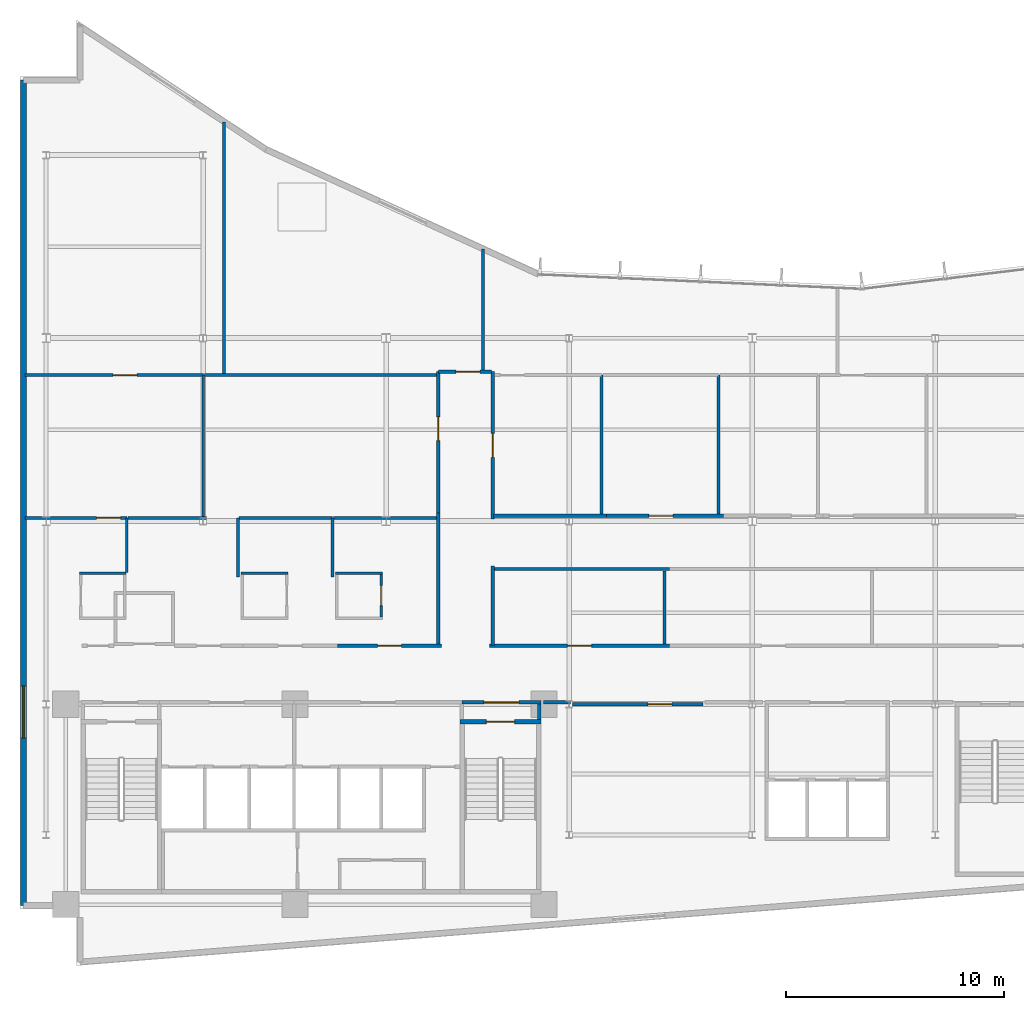
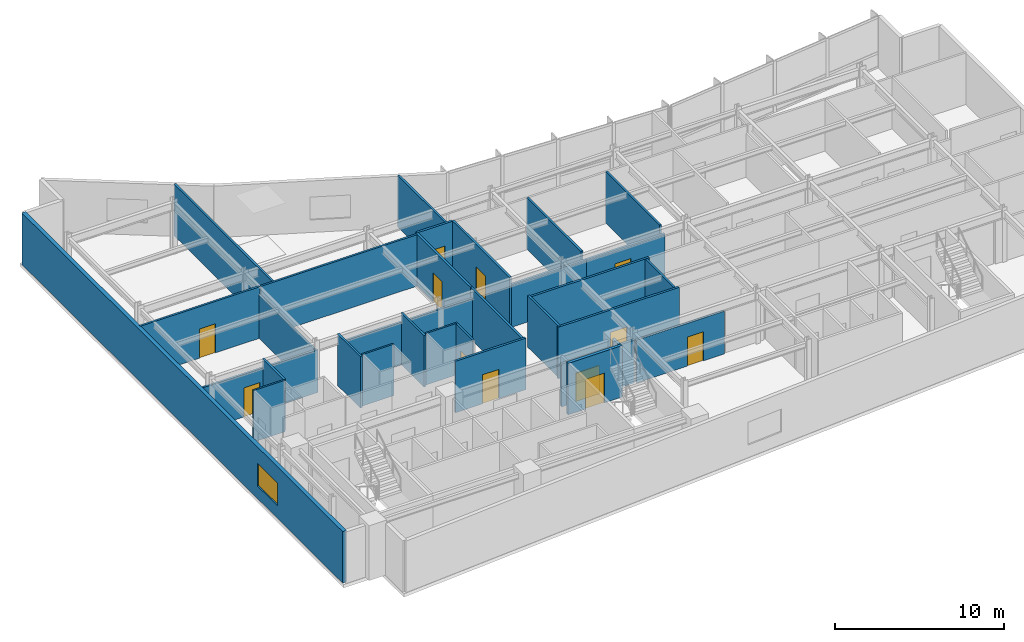
# One storey, part 11 of 18: 35 walls, 12 doors, 1 window, 13 openings.
"""IFC4 building model written with IfcOpenShell, lengths in metres."""

from ifc_helpers import new_model, si_unit, direction, frame, frame_2d, origin, place, context, subcontext, project, spatial, rectangle, extrude, material, layer, layer_set, type_object, element, fill, save


model = new_model("IFC4")

# Units and contexts
model_context = context("Model", 3, precision=1e-05, world=origin(), true_north=direction((0.0, 1.0)))
body_context = subcontext(model_context, "Body", "Model", "MODEL_VIEW")
ifc_project = project(units=[si_unit("LENGTHUNIT", "METRE"), si_unit("AREAUNIT", "SQUARE_METRE"), si_unit("VOLUMEUNIT", "CUBIC_METRE"), si_unit("PLANEANGLEUNIT", "RADIAN"), si_unit("MASSUNIT", "GRAM", prefix="KILO")], contexts=[model_context])

# Site, building, storey
site_placement = place(None, origin())
site = spatial("IfcSite", under=ifc_project, at=site_placement, CompositionType="ELEMENT")
building_placement = place(site_placement, origin())
building = spatial("IfcBuilding", under=site, at=building_placement, Name="Varnakote Quay Hospital", CompositionType="ELEMENT")
storey_placement = place(building_placement, frame((0.0, 0.0, 150.75)))
storey = spatial("IfcBuildingStorey", under=building, at=storey_placement, Name="L37", CompositionType="ELEMENT", Elevation=150.75)

# Wall, opening, door
ifc_material_1 = material(Name="Fire-rated acoustic gypsum stud wall", Category="gypsum")
ifc_layer_1 = layer(ifc_material_1, 0.159912109375)
ifc_layer_set_1 = layer_set([ifc_layer_1], Name="Fire-rated acoustic gypsum stud wall")
wall_type_1 = type_object("IfcWallType", Name="WL-COMP-160", PredefinedType="PARTITIONING", material=ifc_layer_set_1)
wall_1_placement = place(storey_placement, frame((20.280029296875, 12.080078125, 0.0), z_axis=(0.0, 0.0, 1.0), x_axis=(1.0, 0.0, 0.0)))
wall_1 = element("IfcWall", 1, at=wall_1_placement, inside=storey, type_object=wall_type_1, Name="L37 East Stair Vestibule Smoke Wall", PredefinedType="PARTITIONING", context=body_context, shape_type="SweptSolid", body=[
    extrude(rectangle(XDim=3.619873046875, YDim=0.159912109375, at=frame_2d((1.81005859375, 0.0))), origin(), (0.0, 0.0, 1.0), 3.0830078125),
])
opening_1_placement = place(wall_1_placement, frame((1.010009765625, 0.0, 0.0)))
opening_1 = element("IfcOpeningElement", 2, at=opening_1_placement, cuts=wall_1, Name="Opening D-ST2L-L37", PredefinedType="OPENING", context=body_context, shape_type="SweptSolid", body=[
    extrude(rectangle(XDim=1.60009765625, YDim=2.050048828125, at=frame_2d((0.800048828125, 1.02490234375))), frame((0.0, 0.08984375, 0.0), z_axis=(0.0, -1.0, 0.0), x_axis=(1.0, 0.0, 0.0)), (0.0, 0.0, 1.0), 0.179931640625),
])
ifc_material_2 = material(Name="Fire-rated double smoke lobby door")
door_type_1 = type_object("IfcDoorType", Name="DR-LOBBY-FD60S-1600x2150", OperationType="NOTDEFINED", PredefinedType="DOOR", material=ifc_material_2)
door_1_placement = place(opening_1_placement, origin())
door_1 = element("IfcDoor", 3, at=door_1_placement, inside=storey, type_object=door_type_1, Name="L37 East Stair Vestibule Smoke Door", OperationType="DOUBLE_DOOR_SINGLE_SWING", OverallHeight=2.050048828125, OverallWidth=1.60009765625, PredefinedType="DOOR", context=body_context, shape_type="SweptSolid", body=[
    extrude(rectangle(XDim=1.60009765625, YDim=2.050048828125, at=frame_2d((0.800048828125, 1.02490234375))), frame((0.0, 0.02490234375, 0.0), z_axis=(0.0, -1.0, 0.0), x_axis=(1.0, 0.0, 0.0)), (0.0, 0.0, 1.0), 0.050048828125),
])
fill(opening_1, door_1)

# Walls
wall_2_placement = place(storey_placement, frame((23.820068359375, 11.300048828125, 0.0), z_axis=(0.0, 0.0, 1.0), x_axis=(0.0, 1.0, 0.0)))
element("IfcWall", 4, at=wall_2_placement, inside=storey, type_object=wall_type_1, Name="L37 East Stair Vestibule East Wall", PredefinedType="PARTITIONING", context=body_context, shape_type="SweptSolid", body=[
    extrude(rectangle(XDim=0.699951171875, YDim=0.159912109375, at=frame_2d((0.35009765625, 0.0))), origin(), (0.0, 0.0, 1.0), 3.7099609375),
])
wall_3_placement = place(storey_placement, frame((24.02001953125, 12.080078125, 0.0), z_axis=(0.0, 0.0, 1.0), x_axis=(1.0, 0.0, 0.0)))
element("IfcWall", 5, at=wall_3_placement, inside=storey, type_object=wall_type_1, Name="L37 Corridor South Gap Wall", PredefinedType="PARTITIONING", context=body_context, shape_type="SweptSolid", body=[
    extrude(rectangle(XDim=1.244140625, YDim=0.159912109375, at=frame_2d((0.6220703125, 0.0))), origin(), (0.0, 0.0, 1.0), 3.0830078125),
])
ifc_material_3 = material(Name="Moisture-resistant bathroom partition", Category="gypsum")
ifc_layer_2 = layer(ifc_material_3, 0.114990234375)
ifc_layer_set_2 = layer_set([ifc_layer_2], Name="Moisture-resistant bathroom partition")
wall_type_2 = type_object("IfcWallType", Name="WL-ENS-115", PredefinedType="PARTITIONING", material=ifc_layer_set_2)
for number, where, z_axis, x_axis, name in (
    (6, (2.72509765625, 18.017578125, 0.0), (0.0, 0.0, 1.0), (1.0, 0.0, 0.0), "L37 Inpatient En-Suite Bathroom 01 N Wall"),
    (7, (10.14501953125, 18.017578125, 0.0), (0.0, 0.0, 1.0), (1.0, 0.0, 0.0), "L37 Inpatient En-Suite Bathroom 02 N Wall"),
    (8, (14.485107421875, 18.017578125, 0.0), (0.0, 0.0, 1.0), (1.0, 0.0, 0.0), "L37 Inpatient En-Suite Bathroom 03 N Wall"),
):
    element("IfcWall", number, at=place(storey_placement, frame(where, z_axis=z_axis, x_axis=x_axis)), inside=storey, type_object=wall_type_2, Name=name, PredefinedType="PARTITIONING", context=body_context, shape_type="SweptSolid", body=[
        extrude(rectangle(XDim=2.14990234375, YDim=0.114990234375, at=frame_2d((1.074951171875, 0.0))), origin(), (0.0, 0.0, 1.0), 3.7099609375),
    ])

# Wall, opening, door
wall_4_placement = place(storey_placement, frame((16.577392578125, 16.010009765625, 0.0), z_axis=(0.0, 0.0, 1.0), x_axis=(0.0, 1.0, 0.0)))
wall_4 = element("IfcWall", 9, at=wall_4_placement, inside=storey, type_object=wall_type_2, Name="L37 Inpatient En-Suite Bathroom 03 E Wall", PredefinedType="PARTITIONING", context=body_context, shape_type="SweptSolid", body=[
    extrude(rectangle(XDim=1.949951171875, YDim=0.114990234375, at=frame_2d((0.97509765625, 0.0))), origin(), (0.0, 0.0, 1.0), 3.7099609375),
])
opening_2_placement = place(wall_4_placement, frame((0.514892578125, 0.0, 0.0)))
opening_2 = element("IfcOpeningElement", 10, at=opening_2_placement, cuts=wall_4, Name="Opening D-L37-ENS03", PredefinedType="OPENING", context=body_context, shape_type="SweptSolid", body=[
    extrude(rectangle(XDim=0.919921875, YDim=2.10009765625, at=frame_2d((0.4599609375, 1.050048828125))), frame((0.0, 0.0673828125, 0.0), z_axis=(0.0, -1.0, 0.0), x_axis=(1.0, 0.0, 0.0)), (0.0, 0.0, 1.0), 0.135009765625),
])
ifc_material_4 = material(Name="Moisture-sealed en-suite bathroom door")
door_type_2 = type_object("IfcDoorType", Name="DR-ENS-920x2100", OperationType="NOTDEFINED", PredefinedType="DOOR", material=ifc_material_4)
door_2_placement = place(opening_2_placement, origin())
door_2 = element("IfcDoor", 11, at=door_2_placement, inside=storey, type_object=door_type_2, Name="L37 Inpatient En-Suite Bathroom 03 Door", OperationType="SINGLE_SWING_RIGHT", OverallHeight=2.10009765625, OverallWidth=0.919921875, PredefinedType="DOOR", context=body_context, shape_type="SweptSolid", body=[
    extrude(rectangle(XDim=0.919921875, YDim=2.10009765625, at=frame_2d((0.4599609375, 1.050048828125))), frame((0.0, 0.02490234375, 0.0), z_axis=(0.0, -1.0, 0.0), x_axis=(1.0, 0.0, 0.0)), (0.0, 0.0, 1.0), 0.050048828125),
])
fill(opening_2, door_2)

# Wall, opening, window
ifc_material_5 = material(Name="Precast concrete N50 (f'c 50 MPa)", Category="concrete")
ifc_layer_3 = layer(ifc_material_5, 0.260009765625)
ifc_layer_set_3 = layer_set([ifc_layer_3], Name="Precast concrete N50 (f'c 50 MPa)")
wall_type_3 = type_object("IfcWallType", Name="WL-EXT-BRICK-260", PredefinedType="STANDARD", material=ifc_layer_set_3)
wall_5_placement = place(storey_placement, frame((0.159912109375, 40.639892578125, 0.0), z_axis=(0.0, 0.0, 1.0), x_axis=(0.0, -1.0, 0.0)))
wall_5 = element("IfcWall", 12, at=wall_5_placement, inside=storey, type_object=wall_type_3, Name="L37 Brick-Faced Precast Exterior Wall", PredefinedType="STANDARD", context=body_context, shape_type="SweptSolid", body=[
    extrude(rectangle(XDim=37.8798828125, YDim=0.260009765625, at=frame_2d((18.93994140625, 0.0))), origin(), (0.0, 0.0, 1.0), 3.7099609375),
])
opening_3_placement = place(wall_5_placement, frame((27.794921875, 0.0, 0.89990234375)))
opening_3 = element("IfcOpeningElement", 13, at=opening_3_placement, cuts=wall_5, Name="Opening WN-0161", PredefinedType="OPENING", context=body_context, shape_type="SweptSolid", body=[
    extrude(rectangle(XDim=2.39990234375, YDim=1.64990234375, at=frame_2d((1.199951171875, 0.824951171875))), frame((0.0, 0.139892578125, 0.0), z_axis=(0.0, -1.0, 0.0), x_axis=(1.0, 0.0, 0.0)), (0.0, 0.0, 1.0), 0.280029296875),
])
ifc_material_6 = material(Name="Double-glazed low-E solar glass", Category="glass")
window_type = type_object("IfcWindowType", Name="WIN-CLIN-2400x1650", PartitioningType="SINGLE_PANEL", PredefinedType="WINDOW", material=ifc_material_6)
window_placement = place(opening_3_placement, origin())
window = element("IfcWindow", 14, at=window_placement, inside=storey, type_object=window_type, Name="L37 Solar-Control Clinical Window", OverallHeight=1.64990234375, OverallWidth=2.39990234375, PartitioningType="SINGLE_PANEL", PredefinedType="WINDOW", context=body_context, shape_type="SweptSolid", body=[
    extrude(rectangle(XDim=2.39990234375, YDim=1.64990234375, at=frame_2d((1.199951171875, 0.824951171875))), frame((0.0, 0.030029296875, 0.0), z_axis=(0.0, -1.0, 0.0), x_axis=(1.0, 0.0, 0.0)), (0.0, 0.0, 1.0), 0.06005859375),
])
fill(opening_3, window)

# Wall, opening, door
ifc_material_7 = material(Name="Concrete N50 (f'c 50 MPa)", Category="concrete")
ifc_layer_4 = layer(ifc_material_7, 0.199951171875)
ifc_layer_set_4 = layer_set([ifc_layer_4], Name="Concrete N50 (f'c 50 MPa)")
wall_type_4 = type_object("IfcWallType", Name="WL-SHAFT-N50-200", PredefinedType="SHEAR", material=ifc_layer_set_4)
wall_6_placement = place(storey_placement, frame((20.199951171875, 11.199951171875, 0.0), z_axis=(0.0, 0.0, 1.0), x_axis=(1.0, 0.0, 0.0)))
wall_6 = element("IfcWall", 15, at=wall_6_placement, inside=storey, type_object=wall_type_4, Name="L37 Stair ST2 Exit Wall", PredefinedType="SHEAR", context=body_context, shape_type="SweptSolid", body=[
    extrude(rectangle(XDim=3.699951171875, YDim=0.199951171875, at=frame_2d((1.85009765625, 0.0))), origin(), (0.0, 0.0, 1.0), 3.7099609375),
])
opening_4_placement = place(wall_6_placement, frame((1.199951171875, 0.0, 0.0)))
opening_4 = element("IfcOpeningElement", 16, at=opening_4_placement, cuts=wall_6, Name="Opening D-ST2-L37", PredefinedType="OPENING", context=body_context, shape_type="SweptSolid", body=[
    extrude(rectangle(XDim=1.300048828125, YDim=2.14990234375, at=frame_2d((0.64990234375, 1.074951171875))), frame((0.0, 0.10986328125, 0.0), z_axis=(0.0, -1.0, 0.0), x_axis=(1.0, 0.0, 0.0)), (0.0, 0.0, 1.0), 0.219970703125),
])
ifc_material_8 = material(Name="Fire-rated ceramic-glazed timber exit door", Category="wood")
door_type_3 = type_object("IfcDoorType", Name="DR-STAIR-FD60S-1300x2150", OperationType="NOTDEFINED", PredefinedType="DOOR", material=ifc_material_8)
door_3_placement = place(opening_4_placement, origin())
door_3 = element("IfcDoor", 17, at=door_3_placement, inside=storey, type_object=door_type_3, Name="L37 Stair ST2 Fire Exit Door", OperationType="SINGLE_SWING_RIGHT", OverallHeight=2.14990234375, OverallWidth=1.300048828125, PredefinedType="DOOR", context=body_context, shape_type="SweptSolid", body=[
    extrude(rectangle(XDim=1.300048828125, YDim=2.14990234375, at=frame_2d((0.64990234375, 1.074951171875))), frame((0.0, 0.02490234375, 0.0), z_axis=(0.0, -1.0, 0.0), x_axis=(1.0, 0.0, 0.0)), (0.0, 0.0, 1.0), 0.050048828125),
])
fill(opening_4, door_3)

# Wall
ifc_material_9 = material(Name="Smoke-proof clinical partition", Category="gypsum")
ifc_layer_5 = layer(ifc_material_9, 0.135009765625)
ifc_layer_set_5 = layer_set([ifc_layer_5], Name="Smoke-proof clinical partition")
wall_type_5 = type_object("IfcWallType", Name="WL-SMOKE-135", PredefinedType="PARTITIONING", material=ifc_layer_set_5)
wall_7_placement = place(storey_placement, frame((4.89990234375, 18.0400390625, 0.0), z_axis=(0.0, 0.0, 1.0), x_axis=(0.0, 1.0, 0.0)))
element("IfcWall", 18, at=wall_7_placement, inside=storey, type_object=wall_type_5, Name="L37 Clinical Interior Partition", PredefinedType="PARTITIONING", context=body_context, shape_type="SweptSolid", body=[
    extrude(rectangle(XDim=2.510009765625, YDim=0.135009765625, at=frame_2d((1.2548828125, 0.0))), origin(), (0.0, 0.0, 1.0), 3.7099609375),
])

# Wall, opening, door
wall_8_placement = place(storey_placement, frame((4.89990234375, 20.550048828125, 0.0), z_axis=(0.0, 0.0, 1.0), x_axis=(-1.0, 0.0, 0.0)))
wall_8 = element("IfcWall", 19, at=wall_8_placement, inside=storey, type_object=wall_type_5, Name="L37 Clinical Interior Partition", PredefinedType="PARTITIONING", context=body_context, shape_type="SweptSolid", body=[
    extrude(rectangle(XDim=4.659912109375, YDim=0.135009765625, at=frame_2d((2.330078125, 0.0))), origin(), (0.0, 0.0, 1.0), 3.0830078125),
])
opening_5_placement = place(wall_8_placement, frame((0.279052734375, 0.0, 0.0)))
opening_5 = element("IfcOpeningElement", 20, at=opening_5_placement, cuts=wall_8, Name="Opening D-L37-MD05", PredefinedType="OPENING", context=body_context, shape_type="SweptSolid", body=[
    extrude(rectangle(XDim=1.10009765625, YDim=2.10009765625, at=frame_2d((0.550048828125, 1.050048828125))), frame((0.0, 0.077392578125, 0.0), z_axis=(0.0, -1.0, 0.0), x_axis=(1.0, 0.0, 0.0)), (0.0, 0.0, 1.0), 0.155029296875),
])
ifc_material_10 = material(Name="Acoustic timber clinical consult door", Category="wood")
door_type_4 = type_object("IfcDoorType", Name="DR-CLIN-FD30S-1100x2100", OperationType="NOTDEFINED", PredefinedType="DOOR", material=ifc_material_10)
door_4_placement = place(opening_5_placement, origin())
door_4 = element("IfcDoor", 21, at=door_4_placement, inside=storey, type_object=door_type_4, Name="L37 Ward Clinical Consultation Office Door", OperationType="SINGLE_SWING_RIGHT", OverallHeight=2.10009765625, OverallWidth=1.10009765625, PredefinedType="DOOR", context=body_context, shape_type="SweptSolid", body=[
    extrude(rectangle(XDim=1.10009765625, YDim=2.10009765625, at=frame_2d((0.550048828125, 1.050048828125))), frame((0.0, 0.02490234375, 0.0), z_axis=(0.0, -1.0, 0.0), x_axis=(1.0, 0.0, 0.0)), (0.0, 0.0, 1.0), 0.050048828125),
])
fill(opening_5, door_4)

# Walls
wall_9_placement = place(storey_placement, frame((10.0, 17.83251953125, 0.0), z_axis=(0.0, 0.0, 1.0), x_axis=(0.0, 1.0, 0.0)))
element("IfcWall", 22, at=wall_9_placement, inside=storey, type_object=wall_type_5, Name="L37 Clinical Interior Partition", PredefinedType="PARTITIONING", context=body_context, shape_type="SweptSolid", body=[
    extrude(rectangle(XDim=2.717529296875, YDim=0.135009765625, at=frame_2d((1.35888671875, 0.0))), origin(), (0.0, 0.0, 1.0), 3.7099609375),
])
wall_10_placement = place(storey_placement, frame((8.568359375, 20.550048828125, 0.0), z_axis=(0.0, 0.0, 1.0), x_axis=(-1.0, 0.0, 0.0)))
element("IfcWall", 23, at=wall_10_placement, inside=storey, type_object=wall_type_5, Name="L37 Clinical Interior Partition", PredefinedType="PARTITIONING", context=body_context, shape_type="SweptSolid", body=[
    extrude(rectangle(XDim=3.61083984375, YDim=0.135009765625, at=frame_2d((1.805419921875, 0.0))), origin(), (0.0, 0.0, 1.0), 3.0830078125),
])
wall_11_placement = place(storey_placement, frame((14.340087890625, 17.83251953125, 0.0), z_axis=(0.0, 0.0, 1.0), x_axis=(0.0, 1.0, 0.0)))
element("IfcWall", 24, at=wall_11_placement, inside=storey, type_object=wall_type_5, Name="L37 Clinical Interior Partition", PredefinedType="PARTITIONING", context=body_context, shape_type="SweptSolid", body=[
    extrude(rectangle(XDim=2.717529296875, YDim=0.135009765625, at=frame_2d((1.35888671875, 0.0))), origin(), (0.0, 0.0, 1.0), 3.7099609375),
])
wall_12_placement = place(storey_placement, frame((14.340087890625, 20.550048828125, 0.0), z_axis=(0.0, 0.0, 1.0), x_axis=(-1.0, 0.0, 0.0)))
element("IfcWall", 25, at=wall_12_placement, inside=storey, type_object=wall_type_5, Name="L37 Clinical Interior Partition", PredefinedType="PARTITIONING", context=body_context, shape_type="SweptSolid", body=[
    extrude(rectangle(XDim=4.282470703125, YDim=0.135009765625, at=frame_2d((2.14111328125, 0.0))), origin(), (0.0, 0.0, 1.0), 3.0830078125),
])
wall_13_placement = place(storey_placement, frame((19.1201171875, 20.550048828125, 0.0), z_axis=(0.0, 0.0, 1.0), x_axis=(-1.0, 0.0, 0.0)))
element("IfcWall", 26, at=wall_13_placement, inside=storey, type_object=wall_type_5, Name="L37 Clinical Interior Partition", PredefinedType="PARTITIONING", context=body_context, shape_type="SweptSolid", body=[
    extrude(rectangle(XDim=4.72265625, YDim=0.135009765625, at=frame_2d((2.361328125, 0.0))), origin(), (0.0, 0.0, 1.0), 3.0830078125),
])
wall_14_placement = place(storey_placement, frame((29.580078125, 14.760009765625, 0.0), z_axis=(0.0, 0.0, 1.0), x_axis=(0.0, 1.0, 0.0)))
element("IfcWall", 27, at=wall_14_placement, inside=storey, type_object=wall_type_5, Name="L37 Clinical Interior Partition", PredefinedType="PARTITIONING", context=body_context, shape_type="SweptSolid", body=[
    extrude(rectangle(XDim=3.360107421875, YDim=0.135009765625, at=frame_2d((1.68017578125, 0.0))), origin(), (0.0, 0.0, 1.0), 3.7099609375),
])
wall_15_placement = place(storey_placement, frame((8.409912109375, 20.607421875, 0.0), z_axis=(0.0, 0.0, 1.0), x_axis=(0.0, 1.0, 0.0)))
element("IfcWall", 28, at=wall_15_placement, inside=storey, type_object=wall_type_5, Name="L37 Clinical Interior Partition", PredefinedType="PARTITIONING", context=body_context, shape_type="SweptSolid", body=[
    extrude(rectangle(XDim=6.49267578125, YDim=0.135009765625, at=frame_2d((3.246337890625, 0.0))), origin(), (0.0, 0.0, 1.0), 3.152099609375),
])

# Wall, opening, door
wall_16_placement = place(storey_placement, frame((8.409912109375, 27.10009765625, 0.0), z_axis=(0.0, 0.0, 1.0), x_axis=(-1.0, 0.0, 0.0)))
wall_16 = element("IfcWall", 29, at=wall_16_placement, inside=storey, type_object=wall_type_5, Name="L37 Clinical Interior Partition", PredefinedType="PARTITIONING", context=body_context, shape_type="SweptSolid", body=[
    extrude(rectangle(XDim=8.169921875, YDim=0.135009765625, at=frame_2d((4.0849609375, 0.0))), origin(), (0.0, 0.0, 1.0), 3.7099609375),
])
opening_6_placement = place(wall_16_placement, frame((3.034912109375, 0.0, 0.0)))
opening_6 = element("IfcOpeningElement", 30, at=opening_6_placement, cuts=wall_16, Name="Opening D-L37-MD14", PredefinedType="OPENING", context=body_context, shape_type="SweptSolid", body=[
    extrude(rectangle(XDim=1.10009765625, YDim=2.10009765625, at=frame_2d((0.550048828125, 1.050048828125))), frame((0.0, 0.077392578125, 0.0), z_axis=(0.0, -1.0, 0.0), x_axis=(1.0, 0.0, 0.0)), (0.0, 0.0, 1.0), 0.155029296875),
])
door_5_placement = place(opening_6_placement, origin())
door_5 = element("IfcDoor", 31, at=door_5_placement, inside=storey, type_object=door_type_4, Name="L37 Clinical Dietetics Office Door", OperationType="SINGLE_SWING_LEFT", OverallHeight=2.10009765625, OverallWidth=1.10009765625, PredefinedType="DOOR", context=body_context, shape_type="SweptSolid", body=[
    extrude(rectangle(XDim=1.10009765625, YDim=2.10009765625, at=frame_2d((0.550048828125, 1.050048828125))), frame((0.0, 0.02490234375, 0.0), z_axis=(0.0, -1.0, 0.0), x_axis=(1.0, 0.0, 0.0)), (0.0, 0.0, 1.0), 0.050048828125),
])
fill(opening_6, door_5)

# Walls
wall_17_placement = place(storey_placement, frame((19.1201171875, 27.10009765625, 0.0), z_axis=(0.0, 0.0, 1.0), x_axis=(-1.0, 0.0, 0.0)))
element("IfcWall", 32, at=wall_17_placement, inside=storey, type_object=wall_type_5, Name="L37 Clinical Interior Partition", PredefinedType="PARTITIONING", context=body_context, shape_type="SweptSolid", body=[
    extrude(rectangle(XDim=10.652587890625, YDim=0.135009765625, at=frame_2d((5.326171875, 0.0))), origin(), (0.0, 0.0, 1.0), 3.7099609375),
])
for number, where, z_axis, x_axis, name in (
    (33, (26.68994140625, 20.715087890625, 0.0), (0.0, 0.0, 1.0), (0.0, 1.0, 0.0), "L37 Clinical Interior Partition"),
    (34, (32.06005859375, 20.715087890625, 0.0), (0.0, 0.0, 1.0), (0.0, 1.0, 0.0), "L37 Clinical Interior Partition"),
):
    element("IfcWall", number, at=place(storey_placement, frame(where, z_axis=z_axis, x_axis=x_axis)), inside=storey, type_object=wall_type_5, Name=name, PredefinedType="PARTITIONING", context=body_context, shape_type="SweptSolid", body=[
        extrude(rectangle(XDim=6.385009765625, YDim=0.135009765625, at=frame_2d((3.1923828125, 0.0))), origin(), (0.0, 0.0, 1.0), 3.7099609375),
    ])
wall_18_placement = place(storey_placement, frame((9.360107421875, 27.157470703125, 0.0), z_axis=(0.0, 0.0, 1.0), x_axis=(0.0, 1.0, 0.0)))
element("IfcWall", 35, at=wall_18_placement, inside=storey, type_object=wall_type_5, Name="L37 Clinical Interior Partition", PredefinedType="PARTITIONING", context=body_context, shape_type="SweptSolid", body=[
    extrude(rectangle(XDim=11.57177734375, YDim=0.135009765625, at=frame_2d((5.785888671875, 0.0))), origin(), (0.0, 0.0, 1.0), 3.7099609375),
])
wall_19_placement = place(storey_placement, frame((21.239990234375, 27.320068359375, 0.0), z_axis=(0.0, 0.0, 1.0), x_axis=(0.0, 1.0, 0.0)))
element("IfcWall", 36, at=wall_19_placement, inside=storey, type_object=wall_type_5, Name="L37 Clinical Interior Partition", PredefinedType="PARTITIONING", context=body_context, shape_type="SweptSolid", body=[
    extrude(rectangle(XDim=5.575927734375, YDim=0.135009765625, at=frame_2d((2.7880859375, 0.0))), origin(), (0.0, 0.0, 1.0), 3.7099609375),
])

# Wall, opening, door
ifc_material_11 = material(Name="Fire-rated clinical gypsum partition", Category="gypsum")
ifc_layer_6 = layer(ifc_material_11, 0.14990234375)
ifc_layer_set_6 = layer_set([ifc_layer_6], Name="Fire-rated clinical gypsum partition")
wall_type_6 = type_object("IfcWallType", Name="WL-WARD-150", PredefinedType="PARTITIONING", material=ifc_layer_set_6)
wall_20_placement = place(storey_placement, frame((31.35009765625, 12.0, 0.0), z_axis=(0.0, 0.0, 1.0), x_axis=(-1.0, 0.0, 0.0)))
wall_20 = element("IfcWall", 37, at=wall_20_placement, inside=storey, type_object=wall_type_6, Name="L37 Clinical Interior Partition", PredefinedType="PARTITIONING", context=body_context, shape_type="SweptSolid", body=[
    extrude(rectangle(XDim=5.99658203125, YDim=0.14990234375, at=frame_2d((2.998291015625, 0.0))), origin(), (0.0, 0.0, 1.0), 3.0830078125),
])
opening_7_placement = place(wall_20_placement, frame((1.4365234375, 0.0, 0.0)))
opening_7 = element("IfcOpeningElement", 38, at=opening_7_placement, cuts=wall_20, Name="Opening D-L37-RL1", PredefinedType="OPENING", context=body_context, shape_type="SweptSolid", body=[
    extrude(rectangle(XDim=1.10009765625, YDim=2.10009765625, at=frame_2d((0.550048828125, 1.050048828125))), frame((0.0, 0.0849609375, 0.0), z_axis=(0.0, -1.0, 0.0), x_axis=(1.0, 0.0, 0.0)), (0.0, 0.0, 1.0), 0.169921875),
])
door_6_placement = place(opening_7_placement, origin())
door_6 = element("IfcDoor", 39, at=door_6_placement, inside=storey, type_object=door_type_4, Name="L37 Day Infusion Treatment Suite Door", OperationType="SINGLE_SWING_LEFT", OverallHeight=2.10009765625, OverallWidth=1.10009765625, PredefinedType="DOOR", context=body_context, shape_type="SweptSolid", body=[
    extrude(rectangle(XDim=1.10009765625, YDim=2.10009765625, at=frame_2d((0.550048828125, 1.050048828125))), frame((0.0, 0.02490234375, 0.0), z_axis=(0.0, -1.0, 0.0), x_axis=(1.0, 0.0, 0.0)), (0.0, 0.0, 1.0), 0.050048828125),
])
fill(opening_7, door_6)

wall_21_placement = place(storey_placement, frame((19.345947265625, 14.679931640625, 0.0), z_axis=(0.0, 0.0, 1.0), x_axis=(-1.0, 0.0, 0.0)))
wall_21 = element("IfcWall", 40, at=wall_21_placement, inside=storey, type_object=wall_type_6, Name="L37 Clinical Interior Partition", PredefinedType="PARTITIONING", context=body_context, shape_type="SweptSolid", body=[
    extrude(rectangle(XDim=4.77783203125, YDim=0.14990234375, at=frame_2d((2.388916015625, 0.0))), origin(), (0.0, 0.0, 1.0), 3.7099609375),
])
opening_8_placement = place(wall_21_placement, frame((1.839111328125, 0.0, 0.0)))
opening_8 = element("IfcOpeningElement", 41, at=opening_8_placement, cuts=wall_21, Name="Opening D-L37-BR03", PredefinedType="OPENING", context=body_context, shape_type="SweptSolid", body=[
    extrude(rectangle(XDim=1.10009765625, YDim=2.10009765625, at=frame_2d((0.550048828125, 1.050048828125))), frame((0.0, 0.0849609375, 0.0), z_axis=(0.0, -1.0, 0.0), x_axis=(1.0, 0.0, 0.0)), (0.0, 0.0, 1.0), 0.169921875),
])
door_7_placement = place(opening_8_placement, origin())
door_7 = element("IfcDoor", 42, at=door_7_placement, inside=storey, type_object=door_type_4, Name="L37 Inpatient Clinical Treatment Room 03 Door", OperationType="SINGLE_SWING_RIGHT", OverallHeight=2.10009765625, OverallWidth=1.10009765625, PredefinedType="DOOR", context=body_context, shape_type="SweptSolid", body=[
    extrude(rectangle(XDim=1.10009765625, YDim=2.10009765625, at=frame_2d((0.550048828125, 1.050048828125))), frame((0.0, 0.02490234375, 0.0), z_axis=(0.0, -1.0, 0.0), x_axis=(1.0, 0.0, 0.0)), (0.0, 0.0, 1.0), 0.050048828125),
])
fill(opening_8, door_7)

wall_22_placement = place(storey_placement, frame((29.805908203125, 14.679931640625, 0.0), z_axis=(0.0, 0.0, 1.0), x_axis=(-1.0, 0.0, 0.0)))
wall_22 = element("IfcWall", 43, at=wall_22_placement, inside=storey, type_object=wall_type_6, Name="L37 Clinical Interior Partition", PredefinedType="PARTITIONING", context=body_context, shape_type="SweptSolid", body=[
    extrude(rectangle(XDim=8.251953125, YDim=0.14990234375, at=frame_2d((4.1259765625, 0.0))), origin(), (0.0, 0.0, 1.0), 3.7099609375),
])
opening_9_placement = place(wall_22_placement, frame((3.575927734375, 0.0, 0.0)))
opening_9 = element("IfcOpeningElement", 44, at=opening_9_placement, cuts=wall_22, Name="Opening D-L37-MD02", PredefinedType="OPENING", context=body_context, shape_type="SweptSolid", body=[
    extrude(rectangle(XDim=1.10009765625, YDim=2.10009765625, at=frame_2d((0.550048828125, 1.050048828125))), frame((0.0, 0.0849609375, 0.0), z_axis=(0.0, -1.0, 0.0), x_axis=(1.0, 0.0, 0.0)), (0.0, 0.0, 1.0), 0.169921875),
])
door_8_placement = place(opening_9_placement, origin())
door_8 = element("IfcDoor", 45, at=door_8_placement, inside=storey, type_object=door_type_4, Name="L37 Clinical Dietetics Office Door", OperationType="SINGLE_SWING_LEFT", OverallHeight=2.10009765625, OverallWidth=1.10009765625, PredefinedType="DOOR", context=body_context, shape_type="SweptSolid", body=[
    extrude(rectangle(XDim=1.10009765625, YDim=2.10009765625, at=frame_2d((0.550048828125, 1.050048828125))), frame((0.0, 0.02490234375, 0.0), z_axis=(0.0, -1.0, 0.0), x_axis=(1.0, 0.0, 0.0)), (0.0, 0.0, 1.0), 0.050048828125),
])
fill(opening_9, door_8)

# Walls
wall_23_placement = place(storey_placement, frame((19.199951171875, 20.77587890625, 0.0), z_axis=(0.0, 0.0, 1.0), x_axis=(0.0, -1.0, 0.0)))
element("IfcWall", 46, at=wall_23_placement, inside=storey, type_object=wall_type_6, Name="L37 Clinical Interior Partition", PredefinedType="PARTITIONING", context=body_context, shape_type="SweptSolid", body=[
    extrude(rectangle(XDim=6.075927734375, YDim=0.14990234375, at=frame_2d((3.0380859375, 0.0))), origin(), (0.0, 0.0, 1.0), 3.7099609375),
])
wall_24_placement = place(storey_placement, frame((21.699951171875, 14.699951171875, 0.0), z_axis=(0.0, 0.0, 1.0), x_axis=(0.0, 1.0, 0.0)))
element("IfcWall", 47, at=wall_24_placement, inside=storey, type_object=wall_type_6, Name="L37 Clinical Interior Partition", PredefinedType="PARTITIONING", context=body_context, shape_type="SweptSolid", body=[
    extrude(rectangle(XDim=3.64599609375, YDim=0.14990234375, at=frame_2d((1.822998046875, 0.0))), origin(), (0.0, 0.0, 1.0), 3.7099609375),
])

# Wall, opening, door
wall_25_placement = place(storey_placement, frame((19.199951171875, 27.260009765625, 0.0), z_axis=(0.0, 0.0, 1.0), x_axis=(0.0, -1.0, 0.0)))
wall_25 = element("IfcWall", 48, at=wall_25_placement, inside=storey, type_object=wall_type_6, Name="L37 Clinical Interior Partition", PredefinedType="PARTITIONING", context=body_context, shape_type="SweptSolid", body=[
    extrude(rectangle(XDim=6.48193359375, YDim=0.14990234375, at=frame_2d((3.240966796875, 0.0))), origin(), (0.0, 0.0, 1.0), 3.7099609375),
])
opening_10_placement = place(wall_25_placement, frame((2.068359375, 0.0, 0.0)))
opening_10 = element("IfcOpeningElement", 49, at=opening_10_placement, cuts=wall_25, Name="Opening D-L37-MD06", PredefinedType="OPENING", context=body_context, shape_type="SweptSolid", body=[
    extrude(rectangle(XDim=1.10009765625, YDim=2.10009765625, at=frame_2d((0.550048828125, 1.050048828125))), frame((0.0, 0.0849609375, 0.0), z_axis=(0.0, -1.0, 0.0), x_axis=(1.0, 0.0, 0.0)), (0.0, 0.0, 1.0), 0.169921875),
])
door_9_placement = place(opening_10_placement, origin())
door_9 = element("IfcDoor", 50, at=door_9_placement, inside=storey, type_object=door_type_4, Name="L37 Clinical Dietetics Office Door", OperationType="SINGLE_SWING_LEFT", OverallHeight=2.10009765625, OverallWidth=1.10009765625, PredefinedType="DOOR", context=body_context, shape_type="SweptSolid", body=[
    extrude(rectangle(XDim=1.10009765625, YDim=2.10009765625, at=frame_2d((0.550048828125, 1.050048828125))), frame((0.0, 0.02490234375, 0.0), z_axis=(0.0, -1.0, 0.0), x_axis=(1.0, 0.0, 0.0)), (0.0, 0.0, 1.0), 0.050048828125),
])
fill(opening_10, door_9)

wall_26_placement = place(storey_placement, frame((21.699951171875, 20.50390625, 0.0), z_axis=(0.0, 0.0, 1.0), x_axis=(0.0, 1.0, 0.0)))
wall_26 = element("IfcWall", 51, at=wall_26_placement, inside=storey, type_object=wall_type_6, Name="L37 Clinical Interior Partition", PredefinedType="PARTITIONING", context=body_context, shape_type="SweptSolid", body=[
    extrude(rectangle(XDim=6.756103515625, YDim=0.14990234375, at=frame_2d((3.3779296875, 0.0))), origin(), (0.0, 0.0, 1.0), 3.7099609375),
])
opening_11_placement = place(wall_26_placement, frame((2.827880859375, 0.0, 0.0)))
opening_11 = element("IfcOpeningElement", 52, at=opening_11_placement, cuts=wall_26, Name="Opening D-L37-MD07", PredefinedType="OPENING", context=body_context, shape_type="SweptSolid", body=[
    extrude(rectangle(XDim=1.10009765625, YDim=2.10009765625, at=frame_2d((0.550048828125, 1.050048828125))), frame((0.0, 0.0849609375, 0.0), z_axis=(0.0, -1.0, 0.0), x_axis=(1.0, 0.0, 0.0)), (0.0, 0.0, 1.0), 0.169921875),
])
door_10_placement = place(opening_11_placement, origin())
door_10 = element("IfcDoor", 53, at=door_10_placement, inside=storey, type_object=door_type_4, Name="L37 Metabolic Rehabilitation Treatment Suite Door", OperationType="SINGLE_SWING_RIGHT", OverallHeight=2.10009765625, OverallWidth=1.10009765625, PredefinedType="DOOR", context=body_context, shape_type="SweptSolid", body=[
    extrude(rectangle(XDim=1.10009765625, YDim=2.10009765625, at=frame_2d((0.550048828125, 1.050048828125))), frame((0.0, 0.02490234375, 0.0), z_axis=(0.0, -1.0, 0.0), x_axis=(1.0, 0.0, 0.0)), (0.0, 0.0, 1.0), 0.050048828125),
])
fill(opening_11, door_10)

wall_27_placement = place(storey_placement, frame((21.635009765625, 27.260009765625, 0.0), z_axis=(0.0, 0.0, 1.0), x_axis=(-1.0, 0.0, 0.0)))
wall_27 = element("IfcWall", 54, at=wall_27_placement, inside=storey, type_object=wall_type_6, Name="L37 Clinical Interior Partition", PredefinedType="PARTITIONING", context=body_context, shape_type="SweptSolid", body=[
    extrude(rectangle(XDim=2.43505859375, YDim=0.14990234375, at=frame_2d((1.217529296875, 0.0))), origin(), (0.0, 0.0, 1.0), 3.7099609375),
])
opening_12_placement = place(wall_27_placement, frame((0.52734375, 0.0, 0.0)))
opening_12 = element("IfcOpeningElement", 55, at=opening_12_placement, cuts=wall_27, Name="Opening D-L37-MD15", PredefinedType="OPENING", context=body_context, shape_type="SweptSolid", body=[
    extrude(rectangle(XDim=1.10009765625, YDim=2.10009765625, at=frame_2d((0.550048828125, 1.050048828125))), frame((0.0, 0.0849609375, 0.0), z_axis=(0.0, -1.0, 0.0), x_axis=(1.0, 0.0, 0.0)), (0.0, 0.0, 1.0), 0.169921875),
])
door_11_placement = place(opening_12_placement, origin())
door_11 = element("IfcDoor", 56, at=door_11_placement, inside=storey, type_object=door_type_4, Name="L37 Metabolic Rehabilitation Treatment Suite Door", OperationType="SINGLE_SWING_LEFT", OverallHeight=2.10009765625, OverallWidth=1.10009765625, PredefinedType="DOOR", context=body_context, shape_type="SweptSolid", body=[
    extrude(rectangle(XDim=1.10009765625, YDim=2.10009765625, at=frame_2d((0.550048828125, 1.050048828125))), frame((0.0, 0.02490234375, 0.0), z_axis=(0.0, -1.0, 0.0), x_axis=(1.0, 0.0, 0.0)), (0.0, 0.0, 1.0), 0.050048828125),
])
fill(opening_12, door_11)

# Walls
wall_28_placement = place(storey_placement, frame((21.719970703125, 18.199951171875, 0.0), z_axis=(0.0, 0.0, 1.0), x_axis=(1.0, 0.0, 0.0)))
element("IfcWall", 57, at=wall_28_placement, inside=storey, type_object=wall_type_6, Name="L37 Clinical Interior Partition", PredefinedType="PARTITIONING", context=body_context, shape_type="SweptSolid", body=[
    extrude(rectangle(XDim=8.0859375, YDim=0.14990234375, at=frame_2d((4.04296875, 0.0))), origin(), (0.0, 0.0, 1.0), 3.7099609375),
])
wall_29_placement = place(storey_placement, frame((26.916015625, 20.64990234375, 0.0), z_axis=(0.0, 0.0, 1.0), x_axis=(-1.0, 0.0, 0.0)))
element("IfcWall", 58, at=wall_29_placement, inside=storey, type_object=wall_type_6, Name="L37 Clinical Interior Partition", PredefinedType="PARTITIONING", context=body_context, shape_type="SweptSolid", body=[
    extrude(rectangle(XDim=5.196044921875, YDim=0.14990234375, at=frame_2d((2.59814453125, 0.0))), origin(), (0.0, 0.0, 1.0), 3.0830078125),
])

# Wall, opening, door
wall_30_placement = place(storey_placement, frame((32.285888671875, 20.64990234375, 0.0), z_axis=(0.0, 0.0, 1.0), x_axis=(-1.0, 0.0, 0.0)))
wall_30 = element("IfcWall", 59, at=wall_30_placement, inside=storey, type_object=wall_type_6, Name="L37 Clinical Interior Partition", PredefinedType="PARTITIONING", context=body_context, shape_type="SweptSolid", body=[
    extrude(rectangle(XDim=5.367919921875, YDim=0.14990234375, at=frame_2d((2.68408203125, 0.0))), origin(), (0.0, 0.0, 1.0), 3.0830078125),
])
opening_13_placement = place(wall_30_placement, frame((2.327392578125, 0.0, 0.0)))
opening_13 = element("IfcOpeningElement", 60, at=opening_13_placement, cuts=wall_30, Name="Opening D-L37-MD08", PredefinedType="OPENING", context=body_context, shape_type="SweptSolid", body=[
    extrude(rectangle(XDim=1.10009765625, YDim=2.10009765625, at=frame_2d((0.550048828125, 1.050048828125))), frame((0.0, 0.0849609375, 0.0), z_axis=(0.0, -1.0, 0.0), x_axis=(1.0, 0.0, 0.0)), (0.0, 0.0, 1.0), 0.169921875),
])
door_12_placement = place(opening_13_placement, origin())
door_12 = element("IfcDoor", 61, at=door_12_placement, inside=storey, type_object=door_type_4, Name="L37 Nutrition Seminar Teaching Room Door", OperationType="SINGLE_SWING_RIGHT", OverallHeight=2.10009765625, OverallWidth=1.10009765625, PredefinedType="DOOR", context=body_context, shape_type="SweptSolid", body=[
    extrude(rectangle(XDim=1.10009765625, YDim=2.10009765625, at=frame_2d((0.550048828125, 1.050048828125))), frame((0.0, 0.02490234375, 0.0), z_axis=(0.0, -1.0, 0.0), x_axis=(1.0, 0.0, 0.0)), (0.0, 0.0, 1.0), 0.050048828125),
])
fill(opening_13, door_12)

save(model, "model.ifc")
